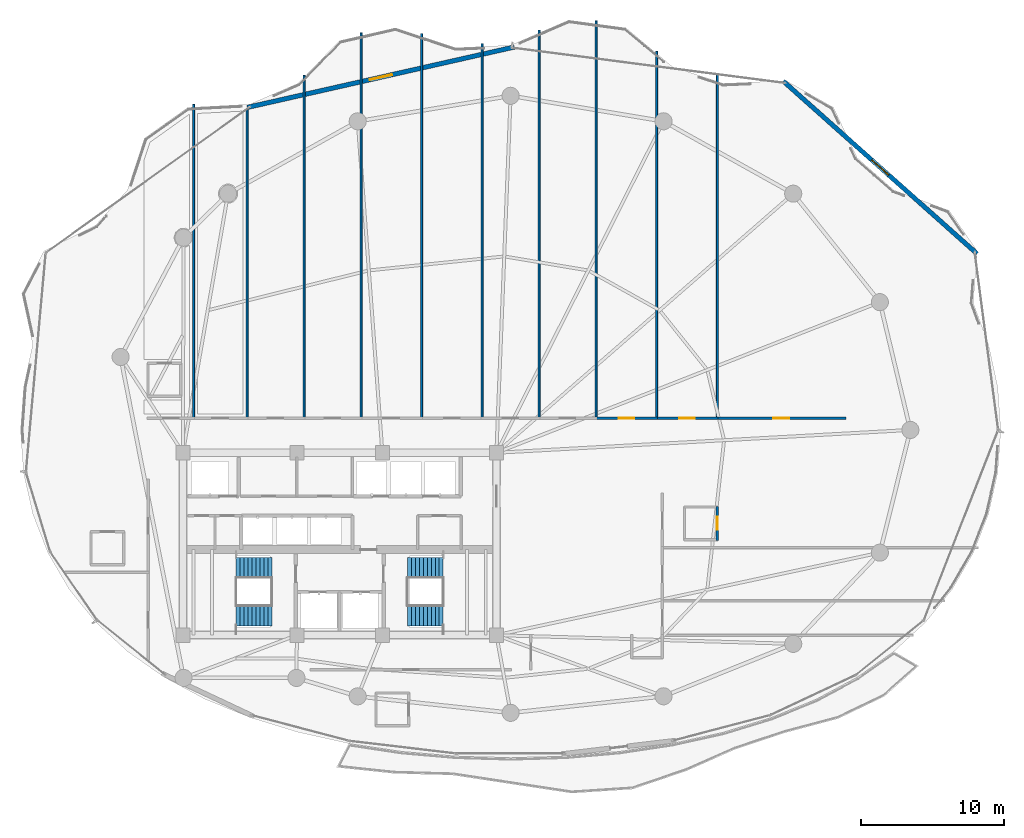
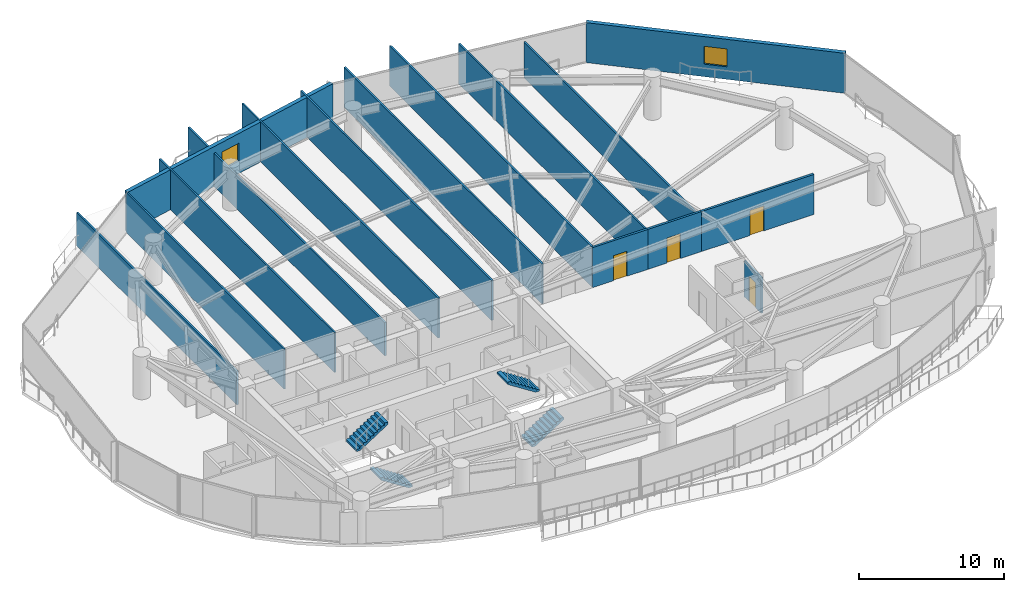
# One storey, part 28 of 33: 16 walls, 4 doors, 4 stair flights, 2 windows, 6 openings, 2 elements without a shape of their own.
"""IFC4 building model written with IfcOpenShell, lengths in metres."""

import ifcopenshell
import ifcopenshell.guid

model = None  # the IFC model being written
_history = None  # IfcOwnerHistory: only IFC2X3 demands one
_inside = {}  # id of a spatial element -> (the spatial element, [elements in it])
_under = {}  # id of a project, library or spatial element -> (it, [spatial elements below it])
_declared = {}  # id of a project -> (the project, [libraries it declares])
_typed = {}  # id of a type object -> (the type object, [elements of that type])
_made_of = {}  # id of a material, layer set ... -> (it, [elements and type objects made of it])


def new_model(schema):
    """Start an empty IFC model of exactly this schema.

    Asked for "IFC4X3", IfcOpenShell would pick the latest addendum, in which some entities
    have other attributes; the version numbers below select the first issue.
    IFC2X3 requires an IfcOwnerHistory on every rooted entity: one is made here for all.
    """
    global model, _history
    if schema == "IFC4X3":
        model = ifcopenshell.file(schema_version=(4, 3, 0, 0))
    else:
        model = ifcopenshell.file(schema=schema)
    _inside.clear()
    _under.clear()
    _declared.clear()
    _typed.clear()
    _made_of.clear()
    _history = None
    if model.schema == "IFC2X3":
        org = make("IfcOrganization", Name="unknown")
        user = make(
            "IfcPersonAndOrganization",
            ThePerson=make("IfcPerson", FamilyName="unknown"),
            TheOrganization=org,
        )
        app = make(
            "IfcApplication",
            ApplicationDeveloper=org,
            Version="unknown",
            ApplicationFullName="unknown",
            ApplicationIdentifier="unknown",
        )
        _history = make(
            "IfcOwnerHistory",
            OwningUser=user,
            OwningApplication=app,
            ChangeAction="ADDED",
            CreationDate=0,
        )
    return model


def make(cls, **values):
    """One entity of the class cls with the attributes given. An attribute that is None is left unset."""
    return model.create_entity(
        cls, **{name: value for name, value in values.items() if value is not None}
    )


def rooted(cls, **values):
    """An entity with a GlobalId (a new one), such as an element, a storey or a relation."""
    return make(cls, GlobalId=ifcopenshell.guid.new(), OwnerHistory=_history, **values)


def si_unit(unit_type, name, prefix=None):
    """IfcSIUnit, for example si_unit("LENGTHUNIT", "METRE", prefix="MILLI")."""
    return make("IfcSIUnit", UnitType=unit_type, Prefix=prefix, Name=name)


def assignment(units):
    """IfcUnitAssignment: the units of a project."""
    return None if units is None else make("IfcUnitAssignment", Units=units)


def point(xyz):
    """IfcCartesianPoint."""
    return None if xyz is None else make("IfcCartesianPoint", Coordinates=xyz)


def direction(xyz):
    """IfcDirection."""
    return None if xyz is None else make("IfcDirection", DirectionRatios=xyz)


def frame(location, z_axis=None, x_axis=None):
    """IfcAxis2Placement3D, a coordinate frame: its origin and axes. An axis left out is left unset."""
    return make(
        "IfcAxis2Placement3D",
        Location=point(location),
        Axis=direction(z_axis),
        RefDirection=direction(x_axis),
    )


def frame_2d(location, x_axis=None):
    """IfcAxis2Placement2D, a coordinate frame in the plane: its origin and x axis."""
    return make(
        "IfcAxis2Placement2D", Location=point(location), RefDirection=direction(x_axis)
    )


def origin():
    """The frame at (0, 0, 0) with its axes left unset."""
    return frame((0.0, 0.0, 0.0))


def place(relative_to, where):
    """IfcLocalPlacement: puts the frame where relative to a parent placement (None: the world)."""
    return make(
        "IfcLocalPlacement", PlacementRelTo=relative_to, RelativePlacement=where
    )


def context(
    kind, dimensions, precision=None, world=None, true_north=None, identifier=None
):
    """IfcGeometricRepresentationContext, for example the 3D "Model" context."""
    return make(
        "IfcGeometricRepresentationContext",
        ContextIdentifier=identifier,
        ContextType=kind,
        CoordinateSpaceDimension=dimensions,
        Precision=precision,
        WorldCoordinateSystem=world,
        TrueNorth=true_north,
    )


def subcontext(parent, identifier, kind, view, scale=None):
    """IfcGeometricRepresentationSubContext, for example "Body" below "Model"."""
    return make(
        "IfcGeometricRepresentationSubContext",
        ContextIdentifier=identifier,
        ContextType=kind,
        ParentContext=parent,
        TargetScale=scale,
        TargetView=view,
    )


def project(units=None, contexts=None):
    """IfcProject with its units and contexts."""
    return rooted(
        "IfcProject",
        Name="project",
        RepresentationContexts=contexts,
        UnitsInContext=assignment(units),
    )


def spatial(cls, under=None, at=None, **own):
    """A site, building, storey or space (cls), placed at a placement, below another one or the project."""
    s = rooted(cls, ObjectPlacement=at, **own)
    if under is not None:
        _under.setdefault(under.id(), (under, []))[1].append(s)
    return s


def polyline(points):
    """IfcPolyline through the points."""
    return make("IfcPolyline", Points=[point(p) for p in points])


def profile(cls, at=None, kind="AREA", **sizes):
    """A parametric profile (cls). Its sizes go by their IFC names, for example OverallWidth=200.0."""
    return make(cls, ProfileType=kind, Position=at, **sizes)


def rectangle(**sizes):
    """IfcRectangleProfileDef."""
    return profile("IfcRectangleProfileDef", **sizes)


def outline(outer, holes=None, kind="AREA"):
    """IfcArbitraryClosedProfileDef: a profile drawn as a closed curve; with holes, ...WithVoids."""
    if holes is None:
        return make("IfcArbitraryClosedProfileDef", ProfileType=kind, OuterCurve=outer)
    return make(
        "IfcArbitraryProfileDefWithVoids",
        ProfileType=kind,
        OuterCurve=outer,
        InnerCurves=holes,
    )


def extrude(swept, where, along, depth):
    """IfcExtrudedAreaSolid: the profile swept, set in the frame where, extruded along a direction by depth."""
    return make(
        "IfcExtrudedAreaSolid",
        SweptArea=swept,
        Position=where,
        ExtrudedDirection=direction(along),
        Depth=depth,
    )


def shape(context_of_items, identifier, shape_type, items):
    """IfcShapeRepresentation: the items that make up one representation, for example the "Body"."""
    return make(
        "IfcShapeRepresentation",
        ContextOfItems=context_of_items,
        RepresentationIdentifier=identifier,
        RepresentationType=shape_type,
        Items=items,
    )


def material(Name=None, Category=None):
    """IfcMaterial."""
    return make("IfcMaterial", Name=Name, Category=Category)


def layer(
    of_material, thickness, ventilated=None, Name=None, Category=None, Priority=None
):
    """IfcMaterialLayer: one layer of a wall or slab, of a material (None: an air gap)."""
    return make(
        "IfcMaterialLayer",
        Material=of_material,
        LayerThickness=thickness,
        IsVentilated=ventilated,
        Name=Name,
        Category=Category,
        Priority=Priority,
    )


def layer_set(layers, Name=None):
    """IfcMaterialLayerSet."""
    return make("IfcMaterialLayerSet", MaterialLayers=layers, LayerSetName=Name)


def made_of(thing, what):
    """Note that an element or type object is made of a material, layer set ...; save() writes the relation."""
    if what is not None:
        _made_of.setdefault(what.id(), (what, []))[1].append(thing)
    return thing


def type_object(cls, material=None, **own):
    """A type object (cls), such as IfcWallType, which elements share."""
    return made_of(rooted(cls, **own), material)


def element(
    cls,
    number,
    at=None,
    inside=None,
    cuts=None,
    type_object=None,
    material=None,
    context=None,
    identifier="Body",
    shape_type=None,
    held_by="IfcProductDefinitionShape",
    body=None,
    shapes=None,
    **own,
):
    """One element of the class cls, such as IfcWall. Its Tag is "e" and its number.

    at: its placement. inside: the storey or other place that contains it. cuts: it is an
    opening in that element (IfcRelVoidsElement). A single representation is given by context,
    identifier, shape_type and body (its items); several are given by shapes. held_by: the class
    of the entity that holds the representations. save() writes the other relations.
    """
    e = rooted(cls, Tag="e%d" % number, ObjectPlacement=at, **own)
    if body is not None:
        shapes = [shape(context, identifier, shape_type, body)]
    if shapes is not None:
        e.Representation = make(held_by, Representations=shapes)
    if inside is not None:
        _inside.setdefault(inside.id(), (inside, []))[1].append(e)
    if cuts is not None:
        rooted(
            "IfcRelVoidsElement", RelatingBuildingElement=cuts, RelatedOpeningElement=e
        )
    if type_object is not None:
        _typed.setdefault(type_object.id(), (type_object, []))[1].append(e)
    return made_of(e, material)


def fill(opening, filler):
    """IfcRelFillsElement: the door or window that sits in an opening."""
    return rooted(
        "IfcRelFillsElement",
        RelatingOpeningElement=opening,
        RelatedBuildingElement=filler,
    )


def aggregate(whole, parts):
    """IfcRelAggregates: a whole, such as a stair, and the parts it consists of."""
    return rooted("IfcRelAggregates", RelatingObject=whole, RelatedObjects=parts)


def save(model, path):
    """Write the relations noted so far, then the file.

    IfcRelAggregates (storeys below a building ...), IfcRelContainedInSpatialStructure (elements
    in a storey), IfcRelDefinesByType, IfcRelAssociatesMaterial and IfcRelDeclares: one each for
    every whole, place, type object, material and project.
    """
    for whole, parts in _under.values():
        aggregate(whole, parts)
    for where, things in _inside.values():
        rooted(
            "IfcRelContainedInSpatialStructure",
            RelatedElements=things,
            RelatingStructure=where,
        )
    for kind, things in _typed.values():
        rooted("IfcRelDefinesByType", RelatedObjects=things, RelatingType=kind)
    for what, things in _made_of.values():
        rooted("IfcRelAssociatesMaterial", RelatedObjects=things, RelatingMaterial=what)
    for by, libraries in _declared.values():
        rooted("IfcRelDeclares", RelatingContext=by, RelatedDefinitions=libraries)
    model.write(path)


model = new_model("IFC4")

# Units and contexts
model_context = context("Model", 3, precision=1e-05, world=origin(), true_north=direction((0.0, 1.0)))
body_context = subcontext(model_context, "Body", "Model", "MODEL_VIEW")
ifc_project = project(units=[si_unit("LENGTHUNIT", "METRE"), si_unit("AREAUNIT", "SQUARE_METRE"), si_unit("VOLUMEUNIT", "CUBIC_METRE"), si_unit("PLANEANGLEUNIT", "RADIAN"), si_unit("MASSUNIT", "GRAM", prefix="KILO")], contexts=[model_context])

# Site, building, storey
site_placement = place(None, origin())
site = spatial("IfcSite", under=ifc_project, at=site_placement, CompositionType="ELEMENT")
building_placement = place(site_placement, origin())
building = spatial("IfcBuilding", under=site, at=building_placement, Name="Kazevale Care Tower and Concert Hall", CompositionType="ELEMENT")
storey_placement = place(building_placement, frame((0.0, 0.0, 145.800048828125)))
storey = spatial("IfcBuildingStorey", under=building, at=storey_placement, Name="L38", CompositionType="ELEMENT", Elevation=145.800048828125)

# Walls
ifc_material_1 = material(Name="Acoustic Gypsum on Steel Stud", Category="steel")
ifc_layer_1 = layer(ifc_material_1, 0.139892578125)
ifc_layer_set_1 = layer_set([ifc_layer_1], Name="Acoustic Gypsum on Steel Stud")
wall_type_1 = type_object("IfcWallType", Name="Acoustic Care & Suite Partition 140", PredefinedType="PARTITIONING", material=ifc_layer_set_1)
wall_1_placement = place(storey_placement, frame((22.75, 60.85498046875, 0.0), z_axis=(0.0, 0.0, 1.0), x_axis=(0.0, -1.0, 0.0)))
element("IfcWall", 1, at=wall_1_placement, inside=storey, type_object=wall_type_1, Name="wall:L38:auto_022", PredefinedType="PARTITIONING", context=body_context, shape_type="SweptSolid", body=[
    extrude(rectangle(XDim=22.06005859375, YDim=0.139892578125, at=frame_2d((11.030029296875, 0.0))), origin(), (0.0, 0.0, 1.0), 2.805908203125),
])
wall_2_placement = place(storey_placement, frame((26.5, 60.50244140625, 0.0), z_axis=(0.0, 0.0, 1.0), x_axis=(0.0, -1.0, 0.0)))
element("IfcWall", 2, at=wall_2_placement, inside=storey, type_object=wall_type_1, Name="wall:L38:auto_023", PredefinedType="PARTITIONING", context=body_context, shape_type="SweptSolid", body=[
    extrude(rectangle(XDim=21.70751953125, YDim=0.139892578125, at=frame_2d((10.853759765625, 0.0))), origin(), (0.0, 0.0, 1.0), 3.35986328125),
])
wall_3_placement = place(storey_placement, frame((30.5, 62.885009765625, 0.0), z_axis=(0.0, 0.0, 1.0), x_axis=(0.0, -1.0, 0.0)))
element("IfcWall", 3, at=wall_3_placement, inside=storey, type_object=wall_type_1, Name="wall:L38:auto_024", PredefinedType="PARTITIONING", context=body_context, shape_type="SweptSolid", body=[
    extrude(rectangle(XDim=24.090087890625, YDim=0.139892578125, at=frame_2d((12.044921875, 0.0))), origin(), (0.0, 0.0, 1.0), 3.35986328125),
])
wall_4_placement = place(storey_placement, frame((34.5, 65.865966796875, 0.0), z_axis=(0.0, 0.0, 1.0), x_axis=(0.0, -1.0, 0.0)))
element("IfcWall", 4, at=wall_4_placement, inside=storey, type_object=wall_type_1, Name="wall:L38:auto_025", PredefinedType="PARTITIONING", context=body_context, shape_type="SweptSolid", body=[
    extrude(rectangle(XDim=27.071044921875, YDim=0.139892578125, at=frame_2d((13.53564453125, 0.0))), origin(), (0.0, 0.0, 1.0), 2.805908203125),
])
wall_5_placement = place(storey_placement, frame((38.75, 65.81005859375, 0.0), z_axis=(0.0, 0.0, 1.0), x_axis=(0.0, -1.0, 0.0)))
element("IfcWall", 5, at=wall_5_placement, inside=storey, type_object=wall_type_1, Name="wall:L38:auto_026", PredefinedType="PARTITIONING", context=body_context, shape_type="SweptSolid", body=[
    extrude(rectangle(XDim=27.01513671875, YDim=0.139892578125, at=frame_2d((13.507568359375, 0.0))), origin(), (0.0, 0.0, 1.0), 3.35986328125),
])
wall_6_placement = place(storey_placement, frame((43.0, 65.112060546875, 0.0), z_axis=(0.0, 0.0, 1.0), x_axis=(0.0, -1.0, 0.0)))
element("IfcWall", 6, at=wall_6_placement, inside=storey, type_object=wall_type_1, Name="wall:L38:auto_027", PredefinedType="PARTITIONING", context=body_context, shape_type="SweptSolid", body=[
    extrude(rectangle(XDim=26.317138671875, YDim=0.139892578125, at=frame_2d((13.15869140625, 0.0))), origin(), (0.0, 0.0, 1.0), 3.35986328125),
])
wall_7_placement = place(storey_placement, frame((47.0, 66.052978515625, 0.0), z_axis=(0.0, 0.0, 1.0), x_axis=(0.0, -1.0, 0.0)))
element("IfcWall", 7, at=wall_7_placement, inside=storey, type_object=wall_type_1, Name="wall:L38:auto_028", PredefinedType="PARTITIONING", context=body_context, shape_type="SweptSolid", body=[
    extrude(rectangle(XDim=27.258056640625, YDim=0.139892578125, at=frame_2d((13.62890625, 0.0))), origin(), (0.0, 0.0, 1.0), 3.35986328125),
])
wall_8_placement = place(storey_placement, frame((51.0, 66.705078125, 0.0), z_axis=(0.0, 0.0, 1.0), x_axis=(0.0, -1.0, 0.0)))
element("IfcWall", 8, at=wall_8_placement, inside=storey, type_object=wall_type_1, Name="wall:L38:auto_029", PredefinedType="PARTITIONING", context=body_context, shape_type="SweptSolid", body=[
    extrude(rectangle(XDim=27.91015625, YDim=0.139892578125, at=frame_2d((13.955078125, 0.0))), origin(), (0.0, 0.0, 1.0), 3.35986328125),
])
wall_9_placement = place(storey_placement, frame((55.25, 64.56005859375, 0.0), z_axis=(0.0, 0.0, 1.0), x_axis=(0.0, -1.0, 0.0)))
element("IfcWall", 9, at=wall_9_placement, inside=storey, type_object=wall_type_1, Name="wall:L38:auto_030", PredefinedType="PARTITIONING", context=body_context, shape_type="SweptSolid", body=[
    extrude(rectangle(XDim=25.76513671875, YDim=0.139892578125, at=frame_2d((12.882568359375, 0.0))), origin(), (0.0, 0.0, 1.0), 3.35986328125),
])
wall_10_placement = place(storey_placement, frame((59.5, 62.94140625, 0.0), z_axis=(0.0, 0.0, 1.0), x_axis=(0.0, -1.0, 0.0)))
element("IfcWall", 10, at=wall_10_placement, inside=storey, type_object=wall_type_1, Name="wall:L38:auto_031", PredefinedType="PARTITIONING", context=body_context, shape_type="SweptSolid", body=[
    extrude(rectangle(XDim=24.146484375, YDim=0.139892578125, at=frame_2d((12.0732421875, 0.0))), origin(), (0.0, 0.0, 1.0), 2.995849609375),
])

# Wall, opening, door
ifc_material_2 = material(Name="Concrete C40 and Acoustic Gypsum", Category="concrete")
ifc_layer_2 = layer(ifc_material_2, 0.179931640625)
ifc_layer_set_2 = layer_set([ifc_layer_2], Name="Concrete C40 and Acoustic Gypsum")
wall_type_2 = type_object("IfcWallType", Name="Fire-Rated Corridor & Party Wall 180", PredefinedType="PARTITIONING", material=ifc_layer_set_2)
wall_11_placement = place(storey_placement, frame((50.93505859375, 38.824951171875, 0.0), z_axis=(0.0, 0.0, 1.0), x_axis=(1.0, 0.0, 0.0)))
wall_11 = element("IfcWall", 11, at=wall_11_placement, inside=storey, type_object=wall_type_2, Name="wall:L38:auto_009", PredefinedType="PARTITIONING", context=body_context, shape_type="SweptSolid", body=[
    extrude(rectangle(XDim=4.3798828125, YDim=0.179931640625, at=frame_2d((2.18994140625, 0.0))), origin(), (0.0, 0.0, 1.0), 3.35986328125),
])
opening_1_placement = place(wall_11_placement, frame((1.639892578125, 0.0, 0.0)))
opening_1 = element("IfcOpeningElement", 12, at=opening_1_placement, cuts=wall_11, Name="Opening ID-1100", PredefinedType="OPENING", context=body_context, shape_type="SweptSolid", body=[
    extrude(rectangle(XDim=1.10009765625, YDim=2.10009765625, at=frame_2d((0.550048828125, 1.050048828125))), frame((0.0, 0.099853515625, 0.0), z_axis=(0.0, -1.0, 0.0), x_axis=(1.0, 0.0, 0.0)), (0.0, 0.0, 1.0), 0.199951171875),
])
ifc_material_3 = material(Name="Oak Timber Fire Leaf", Category="wood")
door_type_1 = type_object("IfcDoorType", Name="Care Bedroom Accessible Door 1100x2100", OperationType="NOTDEFINED", PredefinedType="DOOR", material=ifc_material_3)
door_1_placement = place(opening_1_placement, origin())
door_1 = element("IfcDoor", 13, at=door_1_placement, inside=storey, type_object=door_type_1, Name="door:L38:ad_009", OperationType="SINGLE_SWING_LEFT", OverallHeight=2.10009765625, OverallWidth=1.10009765625, PredefinedType="DOOR", context=body_context, shape_type="SweptSolid", body=[
    extrude(rectangle(XDim=1.10009765625, YDim=2.10009765625, at=frame_2d((0.550048828125, 1.050048828125))), frame((0.0, 0.02490234375, 0.0), z_axis=(0.0, -1.0, 0.0), x_axis=(1.0, 0.0, 0.0)), (0.0, 0.0, 1.0), 0.050048828125),
])
fill(opening_1, door_1)

wall_12_placement = place(storey_placement, frame((55.18505859375, 38.824951171875, 0.0), z_axis=(0.0, 0.0, 1.0), x_axis=(1.0, 0.0, 0.0)))
wall_12 = element("IfcWall", 14, at=wall_12_placement, inside=storey, type_object=wall_type_2, Name="wall:L38:auto_010", PredefinedType="PARTITIONING", context=body_context, shape_type="SweptSolid", body=[
    extrude(rectangle(XDim=4.3798828125, YDim=0.179931640625, at=frame_2d((2.18994140625, 0.0))), origin(), (0.0, 0.0, 1.0), 3.35986328125),
])
opening_2_placement = place(wall_12_placement, frame((1.639892578125, 0.0, 0.0)))
opening_2 = element("IfcOpeningElement", 15, at=opening_2_placement, cuts=wall_12, Name="Opening ID-1100", PredefinedType="OPENING", context=body_context, shape_type="SweptSolid", body=[
    extrude(rectangle(XDim=1.10009765625, YDim=2.10009765625, at=frame_2d((0.550048828125, 1.050048828125))), frame((0.0, 0.099853515625, 0.0), z_axis=(0.0, -1.0, 0.0), x_axis=(1.0, 0.0, 0.0)), (0.0, 0.0, 1.0), 0.199951171875),
])
door_2_placement = place(opening_2_placement, origin())
door_2 = element("IfcDoor", 16, at=door_2_placement, inside=storey, type_object=door_type_1, Name="door:L38:ad_010", OperationType="SINGLE_SWING_LEFT", OverallHeight=2.10009765625, OverallWidth=1.10009765625, PredefinedType="DOOR", context=body_context, shape_type="SweptSolid", body=[
    extrude(rectangle(XDim=1.10009765625, YDim=2.10009765625, at=frame_2d((0.550048828125, 1.050048828125))), frame((0.0, 0.02490234375, 0.0), z_axis=(0.0, -1.0, 0.0), x_axis=(1.0, 0.0, 0.0)), (0.0, 0.0, 1.0), 0.050048828125),
])
fill(opening_2, door_2)

wall_13_placement = place(storey_placement, frame((59.43505859375, 38.824951171875, 0.0), z_axis=(0.0, 0.0, 1.0), x_axis=(1.0, 0.0, 0.0)))
wall_13 = element("IfcWall", 17, at=wall_13_placement, inside=storey, type_object=wall_type_2, Name="wall:L38:auto_011", PredefinedType="PARTITIONING", context=body_context, shape_type="SweptSolid", body=[
    extrude(rectangle(XDim=9.094970703125, YDim=0.179931640625, at=frame_2d((4.54736328125, 0.0))), origin(), (0.0, 0.0, 1.0), 3.35986328125),
])
opening_3_placement = place(wall_13_placement, frame((3.998046875, 0.0, 0.0)))
opening_3 = element("IfcOpeningElement", 18, at=opening_3_placement, cuts=wall_13, Name="Opening ID-1100", PredefinedType="OPENING", context=body_context, shape_type="SweptSolid", body=[
    extrude(rectangle(XDim=1.10009765625, YDim=2.10009765625, at=frame_2d((0.550048828125, 1.050048828125))), frame((0.0, 0.099853515625, 0.0), z_axis=(0.0, -1.0, 0.0), x_axis=(1.0, 0.0, 0.0)), (0.0, 0.0, 1.0), 0.199951171875),
])
door_3_placement = place(opening_3_placement, origin())
door_3 = element("IfcDoor", 19, at=door_3_placement, inside=storey, type_object=door_type_1, Name="door:L38:ad_011", OperationType="SINGLE_SWING_LEFT", OverallHeight=2.10009765625, OverallWidth=1.10009765625, PredefinedType="DOOR", context=body_context, shape_type="SweptSolid", body=[
    extrude(rectangle(XDim=1.10009765625, YDim=2.10009765625, at=frame_2d((0.550048828125, 1.050048828125))), frame((0.0, 0.02490234375, 0.0), z_axis=(0.0, -1.0, 0.0), x_axis=(1.0, 0.0, 0.0)), (0.0, 0.0, 1.0), 0.050048828125),
])
fill(opening_3, door_3)

ifc_layer_3 = layer(ifc_material_1, 0.159912109375)
ifc_layer_set_3 = layer_set([ifc_layer_3], Name="Acoustic Gypsum on Steel Stud")
wall_type_3 = type_object("IfcWallType", Name="Moisture-Resistant Bathroom Plumbing Wall 160", PredefinedType="PLUMBINGWALL", material=ifc_layer_set_3)
wall_14_placement = place(storey_placement, frame((59.5, 30.260009765625, 0.0), z_axis=(0.0, 0.0, 1.0), x_axis=(0.0, 1.0, 0.0)))
wall_14 = element("IfcWall", 20, at=wall_14_placement, inside=storey, type_object=wall_type_3, Name="wall:L38:eb2b_ens_we", PredefinedType="PLUMBINGWALL", context=body_context, shape_type="SweptSolid", body=[
    extrude(rectangle(XDim=2.3798828125, YDim=0.159912109375, at=frame_2d((1.18994140625, 0.0))), origin(), (0.0, 0.0, 1.0), 2.995849609375),
])
opening_4_placement = place(wall_14_placement, frame((0.739990234375, 0.0, 0.0)))
opening_4 = element("IfcOpeningElement", 21, at=opening_4_placement, cuts=wall_14, Name="Opening ID-900", PredefinedType="OPENING", context=body_context, shape_type="SweptSolid", body=[
    extrude(rectangle(XDim=0.919921875, YDim=2.10009765625, at=frame_2d((0.4599609375, 1.050048828125))), frame((0.0, 0.08984375, 0.0), z_axis=(0.0, -1.0, 0.0), x_axis=(1.0, 0.0, 0.0)), (0.0, 0.0, 1.0), 0.179931640625),
])
door_type_2 = type_object("IfcDoorType", Name="Bathroom & Service Door 920x2100", OperationType="NOTDEFINED", PredefinedType="DOOR", material=ifc_material_3)
door_4_placement = place(opening_4_placement, origin())
door_4 = element("IfcDoor", 22, at=door_4_placement, inside=storey, type_object=door_type_2, Name="door:L38:eb2b_ens_d", OperationType="SINGLE_SWING_LEFT", OverallHeight=2.10009765625, OverallWidth=0.919921875, PredefinedType="DOOR", context=body_context, shape_type="SweptSolid", body=[
    extrude(rectangle(XDim=0.919921875, YDim=2.10009765625, at=frame_2d((0.4599609375, 1.050048828125))), frame((0.0, 0.02490234375, 0.0), z_axis=(0.0, -1.0, 0.0), x_axis=(1.0, 0.0, 0.0)), (0.0, 0.0, 1.0), 0.050048828125),
])
fill(opening_4, door_4)

# Wall, opening, window
ifc_material_4 = material(Name="Concrete C40 with Honed Limestone Cladding", Category="masonry")
ifc_layer_4 = layer(ifc_material_4, 0.320068359375)
ifc_layer_set_4 = layer_set([ifc_layer_4], Name="Concrete C40 with Honed Limestone Cladding")
wall_type_4 = type_object("IfcWallType", Name="Tower Honed Limestone Spandrel Wall 320", PredefinedType="STANDARD", material=ifc_layer_set_4)
wall_15_placement = place(storey_placement, frame((26.52490234375, 60.635009765625, 0.0), z_axis=(0.0, 0.0, 1.0), x_axis=(0.975368700272, 0.220580820855, 0.0)))
wall_15 = element("IfcWall", 23, at=wall_15_placement, inside=storey, type_object=wall_type_4, Name="wall:L38:cbox:15", PredefinedType="STANDARD", context=body_context, shape_type="SweptSolid", body=[
    extrude(rectangle(XDim=19.204345703125, YDim=0.320068359375, at=frame_2d((9.60205078125, 0.0))), origin(), (0.0, 0.0, 1.0), 3.35986328125),
])
opening_5_placement = place(wall_15_placement, frame((8.801025390625, 0.0, 1.050048828125)))
opening_5 = element("IfcOpeningElement", 24, at=opening_5_placement, cuts=wall_15, Name="Opening WIN-1", PredefinedType="OPENING", context=body_context, shape_type="SweptSolid", body=[
    extrude(rectangle(XDim=1.60009765625, YDim=1.5, at=frame_2d((0.800048828125, 0.75))), frame((0.0, 0.169921875, 0.0), z_axis=(0.0, -1.0, 0.0), x_axis=(1.0, 0.0, 0.0)), (0.0, 0.0, 1.0), 0.340087890625),
])
ifc_material_5 = material(Name="Low-E Laminated Glass", Category="glass")
window_type = type_object("IfcWindowType", Name="Convex Box Deep-Set Window 1600x1500", PartitioningType="DOUBLE_PANEL_VERTICAL", PredefinedType="WINDOW", material=ifc_material_5)
window_1_placement = place(opening_5_placement, origin())
window_1 = element("IfcWindow", 25, at=window_1_placement, inside=storey, type_object=window_type, Name="win:L38:cbox:15", OverallHeight=1.5, OverallWidth=1.60009765625, PartitioningType="SINGLE_PANEL", PredefinedType="WINDOW", context=body_context, shape_type="SweptSolid", body=[
    extrude(rectangle(XDim=1.60009765625, YDim=1.5, at=frame_2d((0.800048828125, 0.75))), frame((0.0, 0.030029296875, 0.0), z_axis=(0.0, -1.0, 0.0), x_axis=(1.0, 0.0, 0.0)), (0.0, 0.0, 1.0), 0.06005859375),
])
fill(opening_5, window_1)

wall_16_placement = place(storey_placement, frame((64.132080078125, 62.47705078125, 0.0), z_axis=(0.0, 0.0, 1.0), x_axis=(0.746726187299, -0.665131566836, 0.0)))
wall_16 = element("IfcWall", 26, at=wall_16_placement, inside=storey, type_object=wall_type_4, Name="wall:L38:cbox:17", PredefinedType="STANDARD", context=body_context, shape_type="SweptSolid", body=[
    extrude(rectangle(XDim=18.2099609375, YDim=0.320068359375, at=frame_2d((9.10498046875, 0.0))), origin(), (0.0, 0.0, 1.0), 3.35986328125),
])
opening_6_placement = place(wall_16_placement, frame((8.304931640625, 0.0, 1.050048828125)))
opening_6 = element("IfcOpeningElement", 27, at=opening_6_placement, cuts=wall_16, Name="Opening WIN-1", PredefinedType="OPENING", context=body_context, shape_type="SweptSolid", body=[
    extrude(rectangle(XDim=1.60009765625, YDim=1.5, at=frame_2d((0.800048828125, 0.75))), frame((0.0, 0.169921875, 0.0), z_axis=(0.0, -1.0, 0.0), x_axis=(1.0, 0.0, 0.0)), (0.0, 0.0, 1.0), 0.340087890625),
])
window_2_placement = place(opening_6_placement, origin())
window_2 = element("IfcWindow", 28, at=window_2_placement, inside=storey, type_object=window_type, Name="win:L38:cbox:17", OverallHeight=1.5, OverallWidth=1.60009765625, PartitioningType="SINGLE_PANEL", PredefinedType="WINDOW", context=body_context, shape_type="SweptSolid", body=[
    extrude(rectangle(XDim=1.60009765625, YDim=1.5, at=frame_2d((0.800048828125, 0.75))), frame((0.0, 0.030029296875, 0.0), z_axis=(0.0, -1.0, 0.0), x_axis=(1.0, 0.0, 0.0)), (0.0, 0.0, 1.0), 0.06005859375),
])
fill(opening_6, window_2)

# Stair, stair flights
ifc_material_6 = material(Name="Concrete C40", Category="concrete")
stair_type = type_object("IfcStairType", Name="Exit Stair Assembly ST1-Z2", PredefinedType="HALF_TURN_STAIR", material=ifc_material_6)
stair_1_placement = place(storey_placement, origin())
stair_1 = element("IfcStair", 29, at=stair_1_placement, inside=storey, type_object=stair_type, Name="stair:L38:ST1", PredefinedType="HALF_TURN_STAIR")
ifc_layer_5 = layer(ifc_material_6, 0.159912109375)
ifc_layer_set_5 = layer_set([ifc_layer_5], Name="Concrete C40")
stair_flight_type = type_object("IfcStairFlightType", Name="Exit Stair Flight ST1-Z2", PredefinedType="STRAIGHT", material=ifc_layer_set_5)
stair_flight_1_placement = place(storey_placement, frame((28.25, 24.97998046875, 0.0), z_axis=(0.0, 0.0, 1.0), x_axis=(-1.0, 0.0, 0.0)))
stair_flight_1 = element("IfcStairFlight", 30, at=stair_flight_1_placement, type_object=stair_flight_type, Name="ST1-Z2 flight 1", NumberOfRisers=10, NumberOfTreads=9, PredefinedType="STRAIGHT", RiserHeight=0.18, TreadLength=0.28, context=body_context, shape_type="SweptSolid", body=[
    extrude(outline(polyline([(0.0, 0.0), (0.0, 0.179931640625), (0.280029296875, 0.179931640625), (0.280029296875, 0.360107421875), (0.56005859375, 0.360107421875), (0.56005859375, 0.5400390625), (0.840087890625, 0.5400390625), (0.840087890625, 0.719970703125), (1.1201171875, 0.719970703125), (1.1201171875, 0.89990234375), (1.39990234375, 0.89990234375), (1.39990234375, 1.080078125), (1.679931640625, 1.080078125), (1.679931640625, 1.260009765625), (1.9599609375, 1.260009765625), (1.9599609375, 1.43994140625), (2.239990234375, 1.43994140625), (2.239990234375, 1.6201171875), (2.52001953125, 1.6201171875), (2.52001953125, 1.800048828125), (2.52001953125, 1.429931640625), (0.295654296875, 0.0), (0.0, 0.0)])), frame((0.0, 0.72998046875, 0.0), z_axis=(0.0, -1.0, 0.0), x_axis=(1.0, 0.0, 0.0)), (0.0, 0.0, 1.0), 1.4599609375),
])
stair_flight_2_placement = place(storey_placement, frame((25.72998046875, 28.320068359375, 1.800048828125), z_axis=(0.0, 0.0, 1.0), x_axis=(1.0, 0.0, 0.0)))
stair_flight_2 = element("IfcStairFlight", 31, at=stair_flight_2_placement, type_object=stair_flight_type, Name="ST1-Z2 flight 2", NumberOfRisers=10, NumberOfTreads=9, PredefinedType="STRAIGHT", RiserHeight=0.18, TreadLength=0.28, context=body_context, shape_type="SweptSolid", body=[
    extrude(outline(polyline([(0.0, 0.0), (0.0, 0.179931640625), (0.280029296875, 0.179931640625), (0.280029296875, 0.360107421875), (0.56005859375, 0.360107421875), (0.56005859375, 0.5400390625), (0.840087890625, 0.5400390625), (0.840087890625, 0.719970703125), (1.1201171875, 0.719970703125), (1.1201171875, 0.89990234375), (1.39990234375, 0.89990234375), (1.39990234375, 1.080078125), (1.679931640625, 1.080078125), (1.679931640625, 1.260009765625), (1.9599609375, 1.260009765625), (1.9599609375, 1.43994140625), (2.239990234375, 1.43994140625), (2.239990234375, 1.6201171875), (2.52001953125, 1.6201171875), (2.52001953125, 1.800048828125), (2.52001953125, 1.429931640625), (0.295654296875, 0.0), (0.0, 0.0)])), frame((0.0, 0.72998046875, 0.0), z_axis=(0.0, -1.0, 0.0), x_axis=(1.0, 0.0, 0.0)), (0.0, 0.0, 1.0), 1.4599609375),
])
aggregate(stair_1, [stair_flight_1, stair_flight_2])

stair_2_placement = place(storey_placement, origin())
stair_2 = element("IfcStair", 32, at=stair_2_placement, inside=storey, type_object=stair_type, Name="stair:L38:ST2", PredefinedType="HALF_TURN_STAIR")
stair_flight_3_placement = place(storey_placement, frame((37.75, 24.97998046875, 0.0), z_axis=(0.0, 0.0, 1.0), x_axis=(1.0, 0.0, 0.0)))
stair_flight_3 = element("IfcStairFlight", 33, at=stair_flight_3_placement, type_object=stair_flight_type, Name="ST1-Z2 flight 1", NumberOfRisers=10, NumberOfTreads=9, PredefinedType="STRAIGHT", RiserHeight=0.18, TreadLength=0.28, context=body_context, shape_type="SweptSolid", body=[
    extrude(outline(polyline([(0.0, 0.0), (0.0, 0.179931640625), (0.280029296875, 0.179931640625), (0.280029296875, 0.360107421875), (0.56005859375, 0.360107421875), (0.56005859375, 0.5400390625), (0.840087890625, 0.5400390625), (0.840087890625, 0.719970703125), (1.1201171875, 0.719970703125), (1.1201171875, 0.89990234375), (1.39990234375, 0.89990234375), (1.39990234375, 1.080078125), (1.679931640625, 1.080078125), (1.679931640625, 1.260009765625), (1.9599609375, 1.260009765625), (1.9599609375, 1.43994140625), (2.239990234375, 1.43994140625), (2.239990234375, 1.6201171875), (2.52001953125, 1.6201171875), (2.52001953125, 1.800048828125), (2.52001953125, 1.429931640625), (0.295654296875, 0.0), (0.0, 0.0)])), frame((0.0, 0.72998046875, 0.0), z_axis=(0.0, -1.0, 0.0), x_axis=(1.0, 0.0, 0.0)), (0.0, 0.0, 1.0), 1.4599609375),
])
stair_flight_4_placement = place(storey_placement, frame((40.27001953125, 28.320068359375, 1.800048828125), z_axis=(0.0, 0.0, 1.0), x_axis=(-1.0, 0.0, 0.0)))
stair_flight_4 = element("IfcStairFlight", 34, at=stair_flight_4_placement, type_object=stair_flight_type, Name="ST1-Z2 flight 2", NumberOfRisers=10, NumberOfTreads=9, PredefinedType="STRAIGHT", RiserHeight=0.18, TreadLength=0.28, context=body_context, shape_type="SweptSolid", body=[
    extrude(outline(polyline([(0.0, 0.0), (0.0, 0.179931640625), (0.280029296875, 0.179931640625), (0.280029296875, 0.360107421875), (0.56005859375, 0.360107421875), (0.56005859375, 0.5400390625), (0.840087890625, 0.5400390625), (0.840087890625, 0.719970703125), (1.1201171875, 0.719970703125), (1.1201171875, 0.89990234375), (1.39990234375, 0.89990234375), (1.39990234375, 1.080078125), (1.679931640625, 1.080078125), (1.679931640625, 1.260009765625), (1.9599609375, 1.260009765625), (1.9599609375, 1.43994140625), (2.239990234375, 1.43994140625), (2.239990234375, 1.6201171875), (2.52001953125, 1.6201171875), (2.52001953125, 1.800048828125), (2.52001953125, 1.429931640625), (0.295654296875, 0.0), (0.0, 0.0)])), frame((0.0, 0.72998046875, 0.0), z_axis=(0.0, -1.0, 0.0), x_axis=(1.0, 0.0, 0.0)), (0.0, 0.0, 1.0), 1.4599609375),
])
aggregate(stair_2, [stair_flight_3, stair_flight_4])

save(model, "model.ifc")
